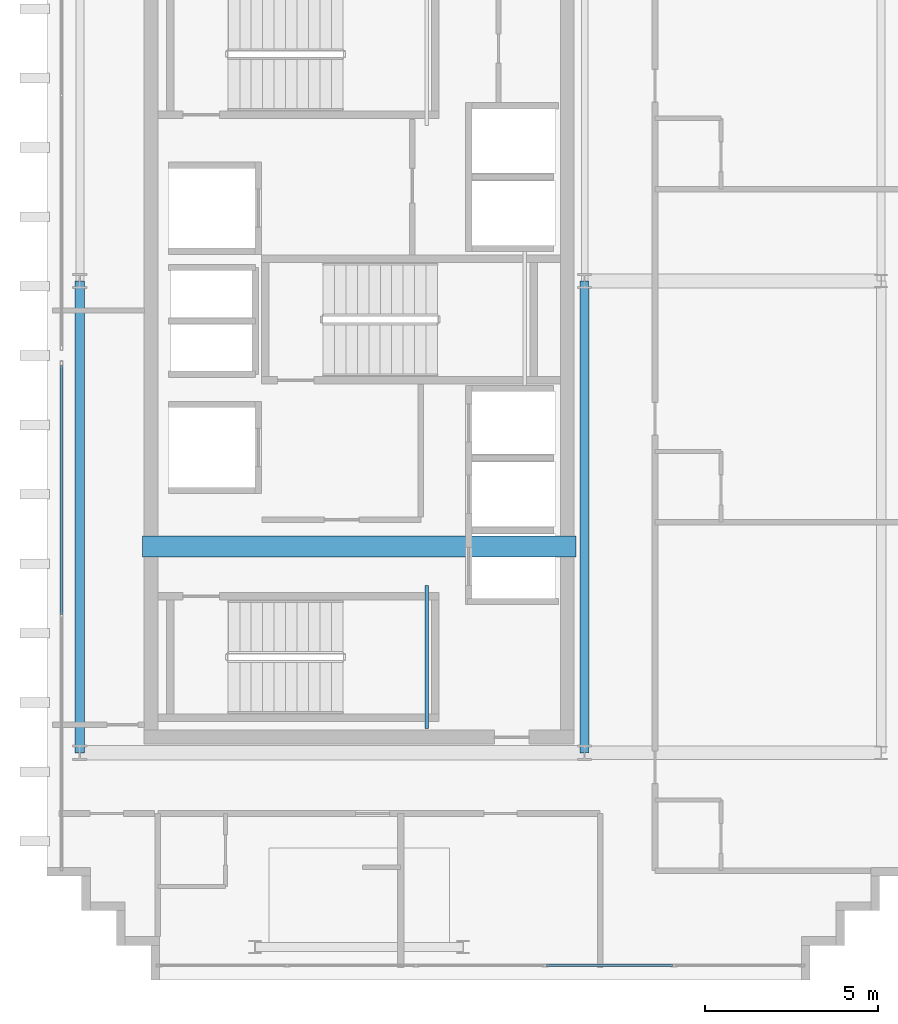
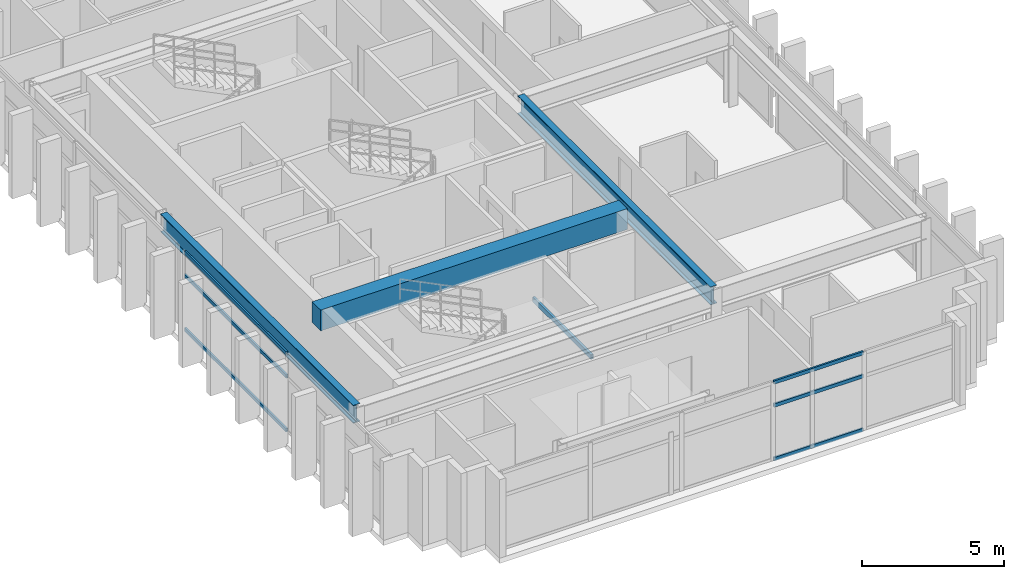
# One storey, part 3 of 15: 6 members, 4 beams, 2 elements without a shape of their own.
"""IFC4 building model written with IfcOpenShell, lengths in metres."""

from ifc_helpers import new_model, si_unit, direction, frame, origin, origin_2d, place, context, subcontext, project, spatial, rectangle, hollow_rectangle, i_section, extrude, source, transform, mapped, material, layer, layer_set, material_profile, profile_set, type_object, element, aggregate, save


model = new_model("IFC4")

# Units and contexts
model_context = context("Model", 3, precision=1e-05, world=origin(), true_north=direction((0.0, 1.0)))
body_context = subcontext(model_context, "Body", "Model", "MODEL_VIEW")
ifc_project = project(units=[si_unit("LENGTHUNIT", "METRE"), si_unit("AREAUNIT", "SQUARE_METRE"), si_unit("VOLUMEUNIT", "CUBIC_METRE"), si_unit("PLANEANGLEUNIT", "RADIAN"), si_unit("MASSUNIT", "GRAM", prefix="KILO")], contexts=[model_context])

# Site, building, storey
site_placement = place(None, origin())
site = spatial("IfcSite", under=ifc_project, at=site_placement, CompositionType="ELEMENT")
building_placement = place(site_placement, origin())
building = spatial("IfcBuilding", under=site, at=building_placement, Name="Ocotamira Hotel", CompositionType="ELEMENT")
storey_placement = place(building_placement, frame((0.0, 0.0, 276.0)))
storey = spatial("IfcBuildingStorey", under=building, at=storey_placement, Name="L70", CompositionType="ELEMENT", Elevation=276.0)

# Beams
ifc_material_1 = material(Name="Concrete C50/60", Category="concrete")
ifc_material_profile_1 = material_profile(ifc_material_1, rectangle(XDim=0.60009765625, YDim=0.89990234375, at=origin_2d()), Name="RC600X900")
ifc_profile_set_1 = profile_set([ifc_material_profile_1], Name="Concrete C50/60")
beam_type_1 = type_object("IfcBeamType", Name="BM-LINK-RC600", PredefinedType="LINTEL", material=ifc_profile_set_1)
shared_shape_1 = source(origin(), body_context, "Body", "SweptSolid", [
    extrude(rectangle(XDim=0.60009765625, YDim=0.89990234375, at=origin_2d()), origin(), (0.0, 0.0, 1.0), 12.5),
])
beam_1_placement = place(storey_placement, frame((10.75, 20.5, 2.929931640625), z_axis=(1.0, 0.0, 0.0), x_axis=(0.0, 1.0, 0.0)))
element("IfcBeam", 1, at=beam_1_placement, inside=storey, type_object=beam_type_1, Name="L70 West Core Coupling Beam", PredefinedType="LINTEL", context=body_context, shape_type="MappedRepresentation", body=[
    mapped(shared_shape_1, transform((0.0, 0.0, 0.0), scale=1.0)),
])
ifc_material_2 = material(Name="Steel ASTM A500 Grade C", Category="steel")
ifc_material_profile_2 = material_profile(ifc_material_2, hollow_rectangle(XDim=0.10009765625, YDim=0.199951171875, WallThickness=0.008056640625, at=origin_2d()), Name="HSS200X100X8")
ifc_profile_set_2 = profile_set([ifc_material_profile_2], Name="Steel ASTM A500 Grade C")
beam_type_2 = type_object("IfcBeamType", Name="BM-STLDG-HSS200", PredefinedType="BEAM", material=ifc_profile_set_2)
shared_shape_2 = source(origin(), body_context, "Body", "SweptSolid", [
    extrude(hollow_rectangle(XDim=0.10009765625, YDim=0.199951171875, WallThickness=0.008056640625, at=origin_2d()), origin(), (0.0, 0.0, 1.0), 4.1201171875),
])
beam_2_placement = place(storey_placement, frame((18.949951171875, 15.25, 1.5), z_axis=(0.0, 1.0, 0.0), x_axis=(-1.0, 0.0, 0.0)))
element("IfcBeam", 2, at=beam_2_placement, inside=storey, type_object=beam_type_2, Name="L70 Stair ST-1 Landing Bearer 1", PredefinedType="BEAM", context=body_context, shape_type="MappedRepresentation", body=[
    mapped(shared_shape_2, transform((0.0, 0.0, 0.0), scale=1.0)),
])
ifc_material_3 = material(Name="Steel ASTM A992 Grade 50", Category="steel")
ifc_material_profile_3 = material_profile(ifc_material_3, i_section(OverallWidth=0.26611328125, OverallDepth=0.779052734375, WebThickness=0.0166015625, FlangeThickness=0.030029296875, FilletRadius=0.01806640625, at=origin_2d()), Name="W30X148")
ifc_profile_set_3 = profile_set([ifc_material_profile_3], Name="Steel ASTM A992 Grade 50")
beam_type_3 = type_object("IfcBeamType", Name="BM-GIRD-W30X148", PredefinedType="BEAM", material=ifc_profile_set_3)
shared_shape_3 = source(origin(), body_context, "Body", "SweptSolid", [
    extrude(i_section(OverallWidth=0.26611328125, OverallDepth=0.779052734375, WebThickness=0.0166015625, FlangeThickness=0.030029296875, FilletRadius=0.01806640625, at=origin_2d()), origin(), (0.0, 0.0, 1.0), 13.599853515625),
])
for number, where, z_axis, x_axis, name in (
    (3, (8.949951171875, 14.550048828125, 2.990478515625), (0.0, 1.0, 0.0), (-1.0, 0.0, 0.0), "L70 Beam X8.95 Y14.55-28.15"),
    (4, (23.5, 14.550048828125, 2.990478515625), (0.0, 1.0, 0.0), (-1.0, 0.0, 0.0), "L70 Beam X23.5 Y14.55-28.15"),
):
    element("IfcBeam", number, at=place(storey_placement, frame(where, z_axis=z_axis, x_axis=x_axis)), inside=storey, type_object=beam_type_3, Name=name, PredefinedType="BEAM", context=body_context, shape_type="MappedRepresentation", body=[
        mapped(shared_shape_3, transform((0.0, 0.0, 0.0), scale=1.0)),
    ])

# Curtain wall, members
ifc_material_4 = material(Name="Anodised pale-metal aluminium and solar glass", Category="aluminium")
ifc_layer = layer(ifc_material_4, 0.2099609375)
ifc_layer_set = layer_set([ifc_layer], Name="Anodised pale-metal aluminium and solar glass")
curtain_wall_type = type_object("IfcCurtainWallType", Name="CW-SYS7-PEAK", PredefinedType="NOTDEFINED", material=ifc_layer_set)
curtain_wall_1_placement = place(storey_placement, origin())
curtain_wall_1 = element("IfcCurtainWall", 5, at=curtain_wall_1_placement, inside=storey, type_object=curtain_wall_type, Name="L70 Curtain Wall CW-7 CW-L70-W1", PredefinedType="NOTDEFINED")
ifc_material_5 = material(Name="Anodised pale-metal aluminium 6063-T6", Category="aluminium")
ifc_material_profile_4 = material_profile(ifc_material_5, hollow_rectangle(XDim=0.074951171875, YDim=0.14990234375, WallThickness=0.006103515625, at=origin_2d()), Name="HSS150X75X6")
ifc_profile_set_4 = profile_set([ifc_material_profile_4], Name="Anodised pale-metal aluminium 6063-T6")
member_type = type_object("IfcMemberType", Name="CWT-150X75", PredefinedType="USERDEFINED", material=ifc_profile_set_4)
shared_shape_4 = source(origin(), body_context, "Body", "SweptSolid", [
    extrude(hollow_rectangle(XDim=0.074951171875, YDim=0.14990234375, WallThickness=0.006103515625, at=origin_2d()), origin(), (0.0, 0.0, 1.0), 7.179931640625),
])
member_1_placement = place(storey_placement, frame((8.419921875, 18.5400390625, 0.03759765625), z_axis=(0.0, 1.0, 0.0), x_axis=(-1.0, 0.0, 0.0)))
member_1 = element("IfcMember", 6, at=member_1_placement, type_object=member_type, Name="CW-7 transom 2.1", ObjectType="TRANSOM", PredefinedType="USERDEFINED", context=body_context, shape_type="MappedRepresentation", body=[
    mapped(shared_shape_4, transform((0.0, 0.0, 0.0), scale=1.0)),
])
member_2_placement = place(storey_placement, frame((8.419921875, 18.5400390625, 2.35009765625), z_axis=(0.0, 1.0, 0.0), x_axis=(-1.0, 0.0, 0.0)))
member_2 = element("IfcMember", 7, at=member_2_placement, type_object=member_type, Name="CW-7 transom 2.2", ObjectType="TRANSOM", PredefinedType="USERDEFINED", context=body_context, shape_type="MappedRepresentation", body=[
    mapped(shared_shape_4, transform((0.0, 0.0, 0.0), scale=1.0)),
])
member_3_placement = place(storey_placement, frame((8.419921875, 18.5400390625, 3.342529296875), z_axis=(0.0, 1.0, 0.0), x_axis=(-1.0, 0.0, 0.0)))
member_3 = element("IfcMember", 8, at=member_3_placement, type_object=member_type, Name="CW-7 transom 2.3", ObjectType="TRANSOM", PredefinedType="USERDEFINED", context=body_context, shape_type="MappedRepresentation", body=[
    mapped(shared_shape_4, transform((0.0, 0.0, 0.0), scale=1.0)),
])
aggregate(curtain_wall_1, [member_1, member_2, member_3])

curtain_wall_2_placement = place(storey_placement, origin())
curtain_wall_2 = element("IfcCurtainWall", 9, at=curtain_wall_2_placement, inside=storey, type_object=curtain_wall_type, Name="L70 Curtain Wall CW-7 CW-L70-S1", PredefinedType="NOTDEFINED")
shared_shape_5 = source(origin(), body_context, "Body", "SweptSolid", [
    extrude(hollow_rectangle(XDim=0.074951171875, YDim=0.14990234375, WallThickness=0.006103515625, at=origin_2d()), origin(), (0.0, 0.0, 1.0), 3.64013671875),
])
member_4_placement = place(storey_placement, frame((22.39990234375, 8.419921875, 0.03759765625), z_axis=(1.0, 0.0, 0.0), x_axis=(0.0, 1.0, 0.0)))
member_4 = element("IfcMember", 10, at=member_4_placement, type_object=member_type, Name="CW-7 transom 4.1", ObjectType="TRANSOM", PredefinedType="USERDEFINED", context=body_context, shape_type="MappedRepresentation", body=[
    mapped(shared_shape_5, transform((0.0, 0.0, 0.0), scale=1.0)),
])
member_5_placement = place(storey_placement, frame((22.39990234375, 8.419921875, 2.35009765625), z_axis=(1.0, 0.0, 0.0), x_axis=(0.0, 1.0, 0.0)))
member_5 = element("IfcMember", 11, at=member_5_placement, type_object=member_type, Name="CW-7 transom 4.2", ObjectType="TRANSOM", PredefinedType="USERDEFINED", context=body_context, shape_type="MappedRepresentation", body=[
    mapped(shared_shape_5, transform((0.0, 0.0, 0.0), scale=1.0)),
])
member_6_placement = place(storey_placement, frame((22.39990234375, 8.419921875, 3.342529296875), z_axis=(1.0, 0.0, 0.0), x_axis=(0.0, 1.0, 0.0)))
member_6 = element("IfcMember", 12, at=member_6_placement, type_object=member_type, Name="CW-7 transom 4.3", ObjectType="TRANSOM", PredefinedType="USERDEFINED", context=body_context, shape_type="MappedRepresentation", body=[
    mapped(shared_shape_5, transform((0.0, 0.0, 0.0), scale=1.0)),
])
aggregate(curtain_wall_2, [member_4, member_5, member_6])

save(model, "model.ifc")
